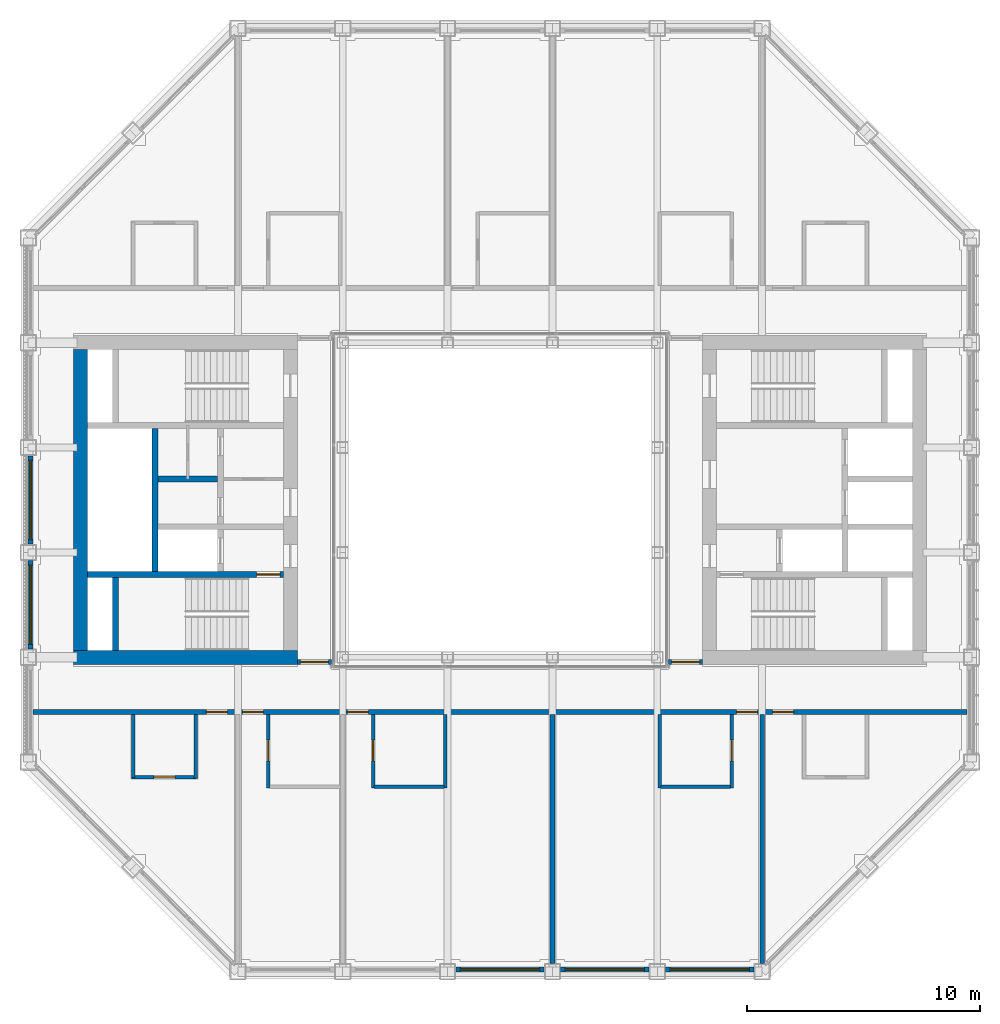
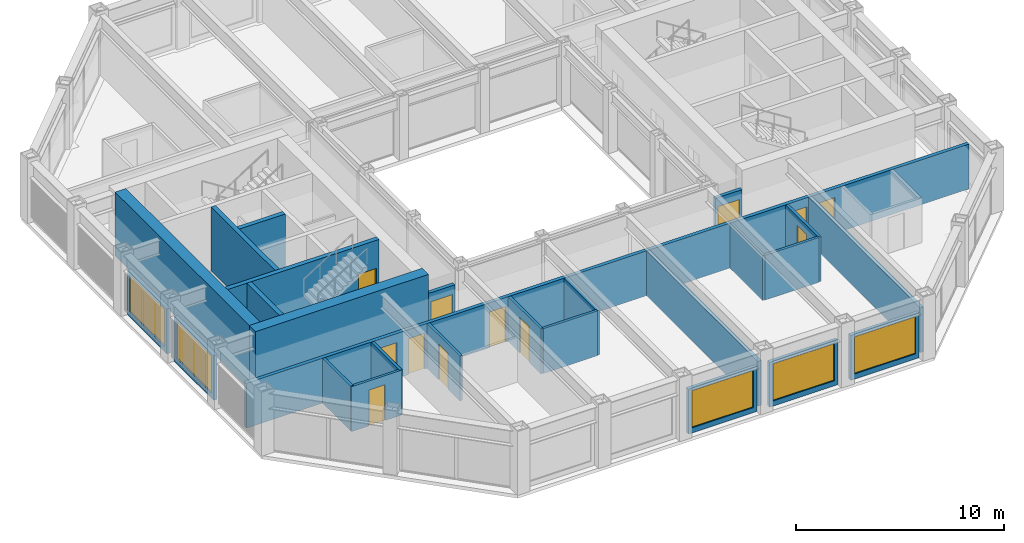
# One storey, part 9 of 16: 26 walls, 12 doors, 5 windows, 17 openings.
"""IFC4 building model written with IfcOpenShell, lengths in metres."""

from ifc_helpers import new_model, si_unit, direction, frame, frame_2d, origin, place, context, subcontext, project, spatial, rectangle, extrude, material, layer, layer_set, type_object, element, fill, save


model = new_model("IFC4")

# Units and contexts
model_context = context("Model", 3, precision=1e-05, world=origin(), true_north=direction((0.0, 1.0)))
body_context = subcontext(model_context, "Body", "Model", "MODEL_VIEW")
ifc_project = project(units=[si_unit("LENGTHUNIT", "METRE"), si_unit("AREAUNIT", "SQUARE_METRE"), si_unit("VOLUMEUNIT", "CUBIC_METRE"), si_unit("PLANEANGLEUNIT", "RADIAN"), si_unit("MASSUNIT", "GRAM", prefix="KILO")], contexts=[model_context])

# Site, building, storey
site_placement = place(None, origin())
site = spatial("IfcSite", under=ifc_project, at=site_placement, CompositionType="ELEMENT")
building_placement = place(site_placement, origin())
building = spatial("IfcBuilding", under=site, at=building_placement, Name="Msasa Ring Tower", CompositionType="ELEMENT")
storey_placement = place(building_placement, frame((0.0, 0.0, 215.800048828125)))
storey = spatial("IfcBuildingStorey", under=building, at=storey_placement, Name="L56", CompositionType="ELEMENT", Elevation=215.800048828125)

# Walls
ifc_material_1 = material(Name="Concrete C60/75", Category="concrete")
ifc_layer_1 = layer(ifc_material_1, 0.60009765625)
ifc_layer_set_1 = layer_set([ifc_layer_1], Name="CW3 CORE WALL 600")
wall_type_1 = type_object("IfcWallType", Name="CW3 CORE WALL 600", PredefinedType="SHEAR", material=ifc_layer_set_1)
wall_1_placement = place(storey_placement, frame((-8.699951171875, -6.75, 0.0), z_axis=(0.0, 0.0, 1.0), x_axis=(-1.0, 0.0, 0.0)))
element("IfcWall", 1, at=wall_1_placement, inside=storey, type_object=wall_type_1, Name="W core wall S L56", PredefinedType="SHEAR", context=body_context, shape_type="SweptSolid", body=[
    extrude(rectangle(XDim=9.60009765625, YDim=0.60009765625, at=frame_2d((4.800048828125, 0.0))), origin(), (0.0, 0.0, 1.0), 3.75),
])
wall_2_placement = place(storey_placement, frame((-18.0, -6.449951171875, 0.0), z_axis=(0.0, 0.0, 1.0), x_axis=(0.0, 1.0, 0.0)))
element("IfcWall", 2, at=wall_2_placement, inside=storey, type_object=wall_type_1, Name="W core wall E L56", PredefinedType="SHEAR", context=body_context, shape_type="SweptSolid", body=[
    extrude(rectangle(XDim=12.89990234375, YDim=0.60009765625, at=frame_2d((6.449951171875, 0.0))), origin(), (0.0, 0.0, 1.0), 3.75),
])

# Wall, opening, door
ifc_material_2 = material(Name="Concrete C60/75", Category="concrete")
ifc_layer_2 = layer(ifc_material_2, 0.25)
ifc_layer_set_2 = layer_set([ifc_layer_2], Name="CW4 CORE INNER WALL 250")
wall_type_2 = type_object("IfcWallType", Name="CW4 CORE INNER WALL 250", PredefinedType="SHEAR", material=ifc_layer_set_2)
wall_3_placement = place(storey_placement, frame((-9.300048828125, -3.199951171875, 0.0), z_axis=(0.0, 0.0, 1.0), x_axis=(-1.0, 0.0, 0.0)))
wall_3 = element("IfcWall", 3, at=wall_3_placement, inside=storey, type_object=wall_type_2, Name="W core wall STAIRA L56", PredefinedType="SHEAR", context=body_context, shape_type="SweptSolid", body=[
    extrude(rectangle(XDim=8.39990234375, YDim=0.25, at=frame_2d((4.199951171875, 0.0))), origin(), (0.0, 0.0, 1.0), 3.75),
])
opening_1_placement = place(wall_3_placement, frame((0.14990234375, 0.0, 0.0)))
opening_1 = element("IfcOpeningElement", 4, at=opening_1_placement, cuts=wall_3, Name="Opening SB-023", PredefinedType="OPENING", context=body_context, shape_type="SweptSolid", body=[
    extrude(rectangle(XDim=1.0, YDim=2.10009765625, at=frame_2d((0.5, 1.050048828125))), frame((0.0, 0.135009765625, 0.0), z_axis=(0.0, -1.0, 0.0), x_axis=(1.0, 0.0, 0.0)), (0.0, 0.0, 1.0), 0.27001953125),
])
ifc_material_3 = material(Name="Timber door leaf in a steel frame", Category="steel")
door_type_1 = type_object("IfcDoorType", Name="D6 STAIR DOOR 1000x2100", OperationType="SINGLE_SWING_LEFT", PredefinedType="DOOR", material=ifc_material_3)
door_1_placement = place(opening_1_placement, origin())
door_1 = element("IfcDoor", 5, at=door_1_placement, inside=storey, type_object=door_type_1, Name="Door L56-WSTA", OperationType="SINGLE_SWING_LEFT", OverallHeight=2.10009765625, OverallWidth=1.0, PredefinedType="DOOR", context=body_context, shape_type="SweptSolid", body=[
    extrude(rectangle(XDim=1.0, YDim=2.10009765625, at=frame_2d((0.5, 1.050048828125))), frame((0.0, 0.02490234375, 0.0), z_axis=(0.0, -1.0, 0.0), x_axis=(1.0, 0.0, 0.0)), (0.0, 0.0, 1.0), 0.050048828125),
])
fill(opening_1, door_1)

# Walls
wall_4_placement = place(storey_placement, frame((-16.5, -6.449951171875, 0.0), z_axis=(0.0, 0.0, 1.0), x_axis=(0.0, 1.0, 0.0)))
element("IfcWall", 6, at=wall_4_placement, inside=storey, type_object=wall_type_2, Name="W core wall RISERA L56", PredefinedType="SHEAR", context=body_context, shape_type="SweptSolid", body=[
    extrude(rectangle(XDim=3.125, YDim=0.25, at=frame_2d((1.5625, 0.0))), origin(), (0.0, 0.0, 1.0), 3.75),
])
wall_5_placement = place(storey_placement, frame((-14.800048828125, -3.074951171875, 0.0), z_axis=(0.0, 0.0, 1.0), x_axis=(0.0, 1.0, 0.0)))
element("IfcWall", 7, at=wall_5_placement, inside=storey, type_object=wall_type_2, Name="W core wall SHAFT L56", PredefinedType="SHEAR", context=body_context, shape_type="SweptSolid", body=[
    extrude(rectangle(XDim=6.14990234375, YDim=0.25, at=frame_2d((3.074951171875, 0.0))), origin(), (0.0, 0.0, 1.0), 3.75),
])
wall_6_placement = place(storey_placement, frame((-12.125, 0.89990234375, 0.0), z_axis=(0.0, 0.0, 1.0), x_axis=(-1.0, 0.0, 0.0)))
element("IfcWall", 8, at=wall_6_placement, inside=storey, type_object=wall_type_2, Name="W core wall LIFT1 L56", PredefinedType="SHEAR", context=body_context, shape_type="SweptSolid", body=[
    extrude(rectangle(XDim=2.550048828125, YDim=0.25, at=frame_2d((1.27490234375, 0.0))), origin(), (0.0, 0.0, 1.0), 3.75),
])

# Wall, opening, window
ifc_material_4 = material(Name="Terracotta rainscreen on blockwork", Category="masonry")
ifc_layer_3 = layer(ifc_material_4, 0.199951171875)
ifc_layer_set_3 = layer_set([ifc_layer_3], Name="FW1 TERRACOTTA-LINED INFILL BAY WALL 200")
wall_type_3 = type_object("IfcWallType", Name="FW1 TERRACOTTA-LINED INFILL BAY WALL 200", PredefinedType="SOLIDWALL", material=ifc_layer_set_3)
wall_7_placement = place(storey_placement, frame((-1.89501953125, -20.14990234375, 0.0), z_axis=(0.0, 0.0, 1.0), x_axis=(1.0, 0.0, 0.0)))
wall_7 = element("IfcWall", 9, at=wall_7_placement, inside=storey, type_object=wall_type_3, Name="Infill bay wall S L56 02", PredefinedType="SOLIDWALL", context=body_context, shape_type="SweptSolid", body=[
    extrude(rectangle(XDim=3.7900390625, YDim=0.199951171875, at=frame_2d((1.89501953125, 0.0))), origin(), (0.0, 0.0, 1.0), 2.62890625),
])
opening_2_placement = place(wall_7_placement, frame((0.195068359375, 0.0, 0.300048828125)))
opening_2 = element("IfcOpeningElement", 10, at=opening_2_placement, cuts=wall_7, Name="Opening WN3", PredefinedType="OPENING", context=body_context, shape_type="SweptSolid", body=[
    extrude(rectangle(XDim=3.39990234375, YDim=2.178955078125, at=frame_2d((1.699951171875, 1.08935546875))), frame((0.0, 0.10986328125, 0.0), z_axis=(0.0, -1.0, 0.0), x_axis=(1.0, 0.0, 0.0)), (0.0, 0.0, 1.0), 0.219970703125),
])
ifc_material_5 = material(Name="Aluminium frame with clear glass", Category="aluminium")
window_type = type_object("IfcWindowType", Name="WN3 SUITE WINDOW 3400x2179", PartitioningType="SINGLE_PANEL", PredefinedType="WINDOW", material=ifc_material_5)
window_1_placement = place(opening_2_placement, origin())
window_1 = element("IfcWindow", 11, at=window_1_placement, inside=storey, type_object=window_type, Name="Window S L56 02", OverallHeight=2.178955078125, OverallWidth=3.39990234375, PartitioningType="SINGLE_PANEL", PredefinedType="WINDOW", context=body_context, shape_type="SweptSolid", body=[
    extrude(rectangle(XDim=3.39990234375, YDim=2.178955078125, at=frame_2d((1.699951171875, 1.08935546875))), frame((0.0, 0.030029296875, 0.0), z_axis=(0.0, -1.0, 0.0), x_axis=(1.0, 0.0, 0.0)), (0.0, 0.0, 1.0), 0.06005859375),
])
fill(opening_2, window_1)

wall_8_placement = place(storey_placement, frame((2.60498046875, -20.14990234375, 0.0), z_axis=(0.0, 0.0, 1.0), x_axis=(1.0, 0.0, 0.0)))
wall_8 = element("IfcWall", 12, at=wall_8_placement, inside=storey, type_object=wall_type_3, Name="Infill bay wall S L56 03", PredefinedType="SOLIDWALL", context=body_context, shape_type="SweptSolid", body=[
    extrude(rectangle(XDim=3.7900390625, YDim=0.199951171875, at=frame_2d((1.89501953125, 0.0))), origin(), (0.0, 0.0, 1.0), 2.62890625),
])
opening_3_placement = place(wall_8_placement, frame((0.195068359375, 0.0, 0.300048828125)))
opening_3 = element("IfcOpeningElement", 13, at=opening_3_placement, cuts=wall_8, Name="Opening WN3", PredefinedType="OPENING", context=body_context, shape_type="SweptSolid", body=[
    extrude(rectangle(XDim=3.39990234375, YDim=2.178955078125, at=frame_2d((1.699951171875, 1.08935546875))), frame((0.0, 0.10986328125, 0.0), z_axis=(0.0, -1.0, 0.0), x_axis=(1.0, 0.0, 0.0)), (0.0, 0.0, 1.0), 0.219970703125),
])
window_2_placement = place(opening_3_placement, origin())
window_2 = element("IfcWindow", 14, at=window_2_placement, inside=storey, type_object=window_type, Name="Window S L56 03", OverallHeight=2.178955078125, OverallWidth=3.39990234375, PartitioningType="SINGLE_PANEL", PredefinedType="WINDOW", context=body_context, shape_type="SweptSolid", body=[
    extrude(rectangle(XDim=3.39990234375, YDim=2.178955078125, at=frame_2d((1.699951171875, 1.08935546875))), frame((0.0, 0.030029296875, 0.0), z_axis=(0.0, -1.0, 0.0), x_axis=(1.0, 0.0, 0.0)), (0.0, 0.0, 1.0), 0.06005859375),
])
fill(opening_3, window_2)

wall_9_placement = place(storey_placement, frame((7.10498046875, -20.14990234375, 0.0), z_axis=(0.0, 0.0, 1.0), x_axis=(1.0, 0.0, 0.0)))
wall_9 = element("IfcWall", 15, at=wall_9_placement, inside=storey, type_object=wall_type_3, Name="Infill bay wall S L56 04", PredefinedType="SOLIDWALL", context=body_context, shape_type="SweptSolid", body=[
    extrude(rectangle(XDim=3.7900390625, YDim=0.199951171875, at=frame_2d((1.89501953125, 0.0))), origin(), (0.0, 0.0, 1.0), 2.62890625),
])
opening_4_placement = place(wall_9_placement, frame((0.195068359375, 0.0, 0.300048828125)))
opening_4 = element("IfcOpeningElement", 16, at=opening_4_placement, cuts=wall_9, Name="Opening WN3", PredefinedType="OPENING", context=body_context, shape_type="SweptSolid", body=[
    extrude(rectangle(XDim=3.39990234375, YDim=2.178955078125, at=frame_2d((1.699951171875, 1.08935546875))), frame((0.0, 0.10986328125, 0.0), z_axis=(0.0, -1.0, 0.0), x_axis=(1.0, 0.0, 0.0)), (0.0, 0.0, 1.0), 0.219970703125),
])
window_3_placement = place(opening_4_placement, origin())
window_3 = element("IfcWindow", 17, at=window_3_placement, inside=storey, type_object=window_type, Name="Window S L56 04", OverallHeight=2.178955078125, OverallWidth=3.39990234375, PartitioningType="SINGLE_PANEL", PredefinedType="WINDOW", context=body_context, shape_type="SweptSolid", body=[
    extrude(rectangle(XDim=3.39990234375, YDim=2.178955078125, at=frame_2d((1.699951171875, 1.08935546875))), frame((0.0, 0.030029296875, 0.0), z_axis=(0.0, -1.0, 0.0), x_axis=(1.0, 0.0, 0.0)), (0.0, 0.0, 1.0), 0.06005859375),
])
fill(opening_4, window_3)

wall_10_placement = place(storey_placement, frame((-20.14990234375, -6.39501953125, 0.0), z_axis=(0.0, 0.0, 1.0), x_axis=(0.0, 1.0, 0.0)))
wall_10 = element("IfcWall", 18, at=wall_10_placement, inside=storey, type_object=wall_type_3, Name="Infill bay wall W L56 22", PredefinedType="SOLIDWALL", context=body_context, shape_type="SweptSolid", body=[
    extrude(rectangle(XDim=3.7900390625, YDim=0.199951171875, at=frame_2d((1.89501953125, 0.0))), origin(), (0.0, 0.0, 1.0), 2.62890625),
])
opening_5_placement = place(wall_10_placement, frame((0.195068359375, 0.0, 0.300048828125)))
opening_5 = element("IfcOpeningElement", 19, at=opening_5_placement, cuts=wall_10, Name="Opening WN3", PredefinedType="OPENING", context=body_context, shape_type="SweptSolid", body=[
    extrude(rectangle(XDim=3.39990234375, YDim=2.178955078125, at=frame_2d((1.699951171875, 1.08935546875))), frame((0.0, 0.10986328125, 0.0), z_axis=(0.0, -1.0, 0.0), x_axis=(1.0, 0.0, 0.0)), (0.0, 0.0, 1.0), 0.219970703125),
])
window_4_placement = place(opening_5_placement, origin())
window_4 = element("IfcWindow", 20, at=window_4_placement, inside=storey, type_object=window_type, Name="Window W L56 22", OverallHeight=2.178955078125, OverallWidth=3.39990234375, PartitioningType="SINGLE_PANEL", PredefinedType="WINDOW", context=body_context, shape_type="SweptSolid", body=[
    extrude(rectangle(XDim=3.39990234375, YDim=2.178955078125, at=frame_2d((1.699951171875, 1.08935546875))), frame((0.0, 0.030029296875, 0.0), z_axis=(0.0, -1.0, 0.0), x_axis=(1.0, 0.0, 0.0)), (0.0, 0.0, 1.0), 0.06005859375),
])
fill(opening_5, window_4)

wall_11_placement = place(storey_placement, frame((-20.14990234375, -1.89501953125, 0.0), z_axis=(0.0, 0.0, 1.0), x_axis=(0.0, 1.0, 0.0)))
wall_11 = element("IfcWall", 21, at=wall_11_placement, inside=storey, type_object=wall_type_3, Name="Infill bay wall W L56 23", PredefinedType="SOLIDWALL", context=body_context, shape_type="SweptSolid", body=[
    extrude(rectangle(XDim=3.7900390625, YDim=0.199951171875, at=frame_2d((1.89501953125, 0.0))), origin(), (0.0, 0.0, 1.0), 2.62890625),
])
opening_6_placement = place(wall_11_placement, frame((0.195068359375, 0.0, 0.300048828125)))
opening_6 = element("IfcOpeningElement", 22, at=opening_6_placement, cuts=wall_11, Name="Opening WN3", PredefinedType="OPENING", context=body_context, shape_type="SweptSolid", body=[
    extrude(rectangle(XDim=3.39990234375, YDim=2.178955078125, at=frame_2d((1.699951171875, 1.08935546875))), frame((0.0, 0.10986328125, 0.0), z_axis=(0.0, -1.0, 0.0), x_axis=(1.0, 0.0, 0.0)), (0.0, 0.0, 1.0), 0.219970703125),
])
window_5_placement = place(opening_6_placement, origin())
window_5 = element("IfcWindow", 23, at=window_5_placement, inside=storey, type_object=window_type, Name="Window W L56 23", OverallHeight=2.178955078125, OverallWidth=3.39990234375, PartitioningType="SINGLE_PANEL", PredefinedType="WINDOW", context=body_context, shape_type="SweptSolid", body=[
    extrude(rectangle(XDim=3.39990234375, YDim=2.178955078125, at=frame_2d((1.699951171875, 1.08935546875))), frame((0.0, 0.030029296875, 0.0), z_axis=(0.0, -1.0, 0.0), x_axis=(1.0, 0.0, 0.0)), (0.0, 0.0, 1.0), 0.06005859375),
])
fill(opening_6, window_5)

# Wall, opening, door
ifc_material_6 = material(Name="Concrete blockwork", Category="masonry")
ifc_layer_4 = layer(ifc_material_6, 0.199951171875)
ifc_layer_set_4 = layer_set([ifc_layer_4], Name="PT1 CORRIDOR WALL 200")
wall_type_4 = type_object("IfcWallType", Name="PT1 CORRIDOR WALL 200", PredefinedType="PARTITIONING", material=ifc_layer_set_4)
wall_12_placement = place(storey_placement, frame((7.22998046875, -6.949951171875, 0.0), z_axis=(0.0, 0.0, 1.0), x_axis=(1.0, 0.0, 0.0)))
wall_12 = element("IfcWall", 24, at=wall_12_placement, inside=storey, type_object=wall_type_4, Name="Corridor wall L56-SDES", PredefinedType="PARTITIONING", context=body_context, shape_type="SweptSolid", body=[
    extrude(rectangle(XDim=1.469970703125, YDim=0.199951171875, at=frame_2d((0.73486328125, 0.0))), origin(), (0.0, 0.0, 1.0), 2.62890625),
])
opening_7_placement = place(wall_12_placement, frame((0.135009765625, 0.0, 0.0)))
opening_7 = element("IfcOpeningElement", 25, at=opening_7_placement, cuts=wall_12, Name="Opening SB-026", PredefinedType="OPENING", context=body_context, shape_type="SweptSolid", body=[
    extrude(rectangle(XDim=1.199951171875, YDim=2.10009765625, at=frame_2d((0.60009765625, 1.050048828125))), frame((0.0, 0.10986328125, 0.0), z_axis=(0.0, -1.0, 0.0), x_axis=(1.0, 0.0, 0.0)), (0.0, 0.0, 1.0), 0.219970703125),
])
ifc_material_7 = material(Name="Timber door leaf in a steel frame", Category="steel")
door_type_2 = type_object("IfcDoorType", Name="D25 CORRIDOR PAIR OF SMOKE DOORS 1200x2100", OperationType="DOUBLE_DOOR_DOUBLE_SWING", PredefinedType="DOOR", material=ifc_material_7)
door_2_placement = place(opening_7_placement, origin())
door_2 = element("IfcDoor", 26, at=door_2_placement, inside=storey, type_object=door_type_2, Name="Door L56-SDES", OperationType="DOUBLE_DOOR_DOUBLE_SWING", OverallHeight=2.10009765625, OverallWidth=1.199951171875, PredefinedType="DOOR", context=body_context, shape_type="SweptSolid", body=[
    extrude(rectangle(XDim=1.199951171875, YDim=2.10009765625, at=frame_2d((0.60009765625, 1.050048828125))), frame((0.0, 0.02490234375, 0.0), z_axis=(0.0, -1.0, 0.0), x_axis=(1.0, 0.0, 0.0)), (0.0, 0.0, 1.0), 0.050048828125),
])
fill(opening_7, door_2)

wall_13_placement = place(storey_placement, frame((-8.699951171875, -6.949951171875, 0.0), z_axis=(0.0, 0.0, 1.0), x_axis=(1.0, 0.0, 0.0)))
wall_13 = element("IfcWall", 27, at=wall_13_placement, inside=storey, type_object=wall_type_4, Name="Corridor wall L56-SDWS", PredefinedType="PARTITIONING", context=body_context, shape_type="SweptSolid", body=[
    extrude(rectangle(XDim=1.469970703125, YDim=0.199951171875, at=frame_2d((0.73486328125, 0.0))), origin(), (0.0, 0.0, 1.0), 2.62890625),
])
opening_8_placement = place(wall_13_placement, frame((0.135009765625, 0.0, 0.0)))
opening_8 = element("IfcOpeningElement", 28, at=opening_8_placement, cuts=wall_13, Name="Opening SB-025", PredefinedType="OPENING", context=body_context, shape_type="SweptSolid", body=[
    extrude(rectangle(XDim=1.199951171875, YDim=2.10009765625, at=frame_2d((0.60009765625, 1.050048828125))), frame((0.0, 0.10986328125, 0.0), z_axis=(0.0, -1.0, 0.0), x_axis=(1.0, 0.0, 0.0)), (0.0, 0.0, 1.0), 0.219970703125),
])
door_3_placement = place(opening_8_placement, origin())
door_3 = element("IfcDoor", 29, at=door_3_placement, inside=storey, type_object=door_type_2, Name="Door L56-SDWS", OperationType="DOUBLE_DOOR_DOUBLE_SWING", OverallHeight=2.10009765625, OverallWidth=1.199951171875, PredefinedType="DOOR", context=body_context, shape_type="SweptSolid", body=[
    extrude(rectangle(XDim=1.199951171875, YDim=2.10009765625, at=frame_2d((0.60009765625, 1.050048828125))), frame((0.0, 0.02490234375, 0.0), z_axis=(0.0, -1.0, 0.0), x_axis=(1.0, 0.0, 0.0)), (0.0, 0.0, 1.0), 0.050048828125),
])
fill(opening_8, door_3)

# Wall, openings, doors
wall_14_placement = place(storey_placement, frame((-20.050048828125, -9.10009765625, 0.0), z_axis=(0.0, 0.0, 1.0), x_axis=(1.0, 0.0, 0.0)))
wall_14 = element("IfcWall", 30, at=wall_14_placement, inside=storey, type_object=wall_type_4, Name="Corridor wall L56-CORRS0", PredefinedType="PARTITIONING", context=body_context, shape_type="SweptSolid", body=[
    extrude(rectangle(XDim=40.10009765625, YDim=0.199951171875, at=frame_2d((20.050048828125, 0.0))), origin(), (0.0, 0.0, 1.0), 2.62890625),
])
opening_9_placement = place(wall_14_placement, frame((9.0, 0.0, 0.0)))
opening_9 = element("IfcOpeningElement", 31, at=opening_9_placement, cuts=wall_14, Name="Opening SB-028", PredefinedType="OPENING", context=body_context, shape_type="SweptSolid", body=[
    extrude(rectangle(XDim=0.89990234375, YDim=2.10009765625, at=frame_2d((0.449951171875, 1.050048828125))), frame((0.0, 0.10986328125, 0.0), z_axis=(0.0, -1.0, 0.0), x_axis=(1.0, 0.0, 0.0)), (0.0, 0.0, 1.0), 0.219970703125),
])
opening_10_placement = place(wall_14_placement, frame((13.5, 0.0, 0.0)))
opening_10 = element("IfcOpeningElement", 32, at=opening_10_placement, cuts=wall_14, Name="Opening SB-029", PredefinedType="OPENING", context=body_context, shape_type="SweptSolid", body=[
    extrude(rectangle(XDim=0.89990234375, YDim=2.10009765625, at=frame_2d((0.449951171875, 1.050048828125))), frame((0.0, 0.10986328125, 0.0), z_axis=(0.0, -1.0, 0.0), x_axis=(1.0, 0.0, 0.0)), (0.0, 0.0, 1.0), 0.219970703125),
])
opening_11_placement = place(wall_14_placement, frame((30.199951171875, 0.0, 0.0)))
opening_11 = element("IfcOpeningElement", 33, at=opening_11_placement, cuts=wall_14, Name="Opening SB-030", PredefinedType="OPENING", context=body_context, shape_type="SweptSolid", body=[
    extrude(rectangle(XDim=0.89990234375, YDim=2.10009765625, at=frame_2d((0.449951171875, 1.050048828125))), frame((0.0, 0.10986328125, 0.0), z_axis=(0.0, -1.0, 0.0), x_axis=(1.0, 0.0, 0.0)), (0.0, 0.0, 1.0), 0.219970703125),
])
opening_12_placement = place(wall_14_placement, frame((31.75, 0.0, 0.0)))
opening_12 = element("IfcOpeningElement", 34, at=opening_12_placement, cuts=wall_14, Name="Opening SB-031", PredefinedType="OPENING", context=body_context, shape_type="SweptSolid", body=[
    extrude(rectangle(XDim=0.89990234375, YDim=2.10009765625, at=frame_2d((0.449951171875, 1.050048828125))), frame((0.0, 0.10986328125, 0.0), z_axis=(0.0, -1.0, 0.0), x_axis=(1.0, 0.0, 0.0)), (0.0, 0.0, 1.0), 0.219970703125),
])
opening_13_placement = place(wall_14_placement, frame((7.449951171875, 0.0, 0.0)))
opening_13 = element("IfcOpeningElement", 35, at=opening_13_placement, cuts=wall_14, Name="Opening SB-027", PredefinedType="OPENING", context=body_context, shape_type="SweptSolid", body=[
    extrude(rectangle(XDim=0.89990234375, YDim=2.10009765625, at=frame_2d((0.449951171875, 1.050048828125))), frame((0.0, 0.10986328125, 0.0), z_axis=(0.0, -1.0, 0.0), x_axis=(1.0, 0.0, 0.0)), (0.0, 0.0, 1.0), 0.219970703125),
])
ifc_material_8 = material(Name="Timber door leaf in a steel frame", Category="steel")
door_type_3 = type_object("IfcDoorType", Name="D1 SINGLE DOOR TO CORRIDOR 900x2100", OperationType="SINGLE_SWING_LEFT", PredefinedType="DOOR", material=ifc_material_8)
door_4_placement = place(opening_9_placement, origin())
door_4 = element("IfcDoor", 36, at=door_4_placement, inside=storey, type_object=door_type_3, Name="Door L56-JS00", OperationType="SINGLE_SWING_LEFT", OverallHeight=2.10009765625, OverallWidth=0.89990234375, PredefinedType="DOOR", context=body_context, shape_type="SweptSolid", body=[
    extrude(rectangle(XDim=0.89990234375, YDim=2.10009765625, at=frame_2d((0.449951171875, 1.050048828125))), frame((0.0, 0.02490234375, 0.0), z_axis=(0.0, -1.0, 0.0), x_axis=(1.0, 0.0, 0.0)), (0.0, 0.0, 1.0), 0.050048828125),
])
fill(opening_9, door_4)
door_5_placement = place(opening_10_placement, origin())
door_5 = element("IfcDoor", 37, at=door_5_placement, inside=storey, type_object=door_type_3, Name="Door L56-JS01", OperationType="SINGLE_SWING_LEFT", OverallHeight=2.10009765625, OverallWidth=0.89990234375, PredefinedType="DOOR", context=body_context, shape_type="SweptSolid", body=[
    extrude(rectangle(XDim=0.89990234375, YDim=2.10009765625, at=frame_2d((0.449951171875, 1.050048828125))), frame((0.0, 0.02490234375, 0.0), z_axis=(0.0, -1.0, 0.0), x_axis=(1.0, 0.0, 0.0)), (0.0, 0.0, 1.0), 0.050048828125),
])
fill(opening_10, door_5)
door_6_placement = place(opening_11_placement, origin())
door_6 = element("IfcDoor", 38, at=door_6_placement, inside=storey, type_object=door_type_3, Name="Door L56-JS02", OperationType="SINGLE_SWING_RIGHT", OverallHeight=2.10009765625, OverallWidth=0.89990234375, PredefinedType="DOOR", context=body_context, shape_type="SweptSolid", body=[
    extrude(rectangle(XDim=0.89990234375, YDim=2.10009765625, at=frame_2d((0.449951171875, 1.050048828125))), frame((0.0, 0.02490234375, 0.0), z_axis=(0.0, -1.0, 0.0), x_axis=(1.0, 0.0, 0.0)), (0.0, 0.0, 1.0), 0.050048828125),
])
fill(opening_11, door_6)
ifc_material_9 = material(Name="Timber door leaf in a steel frame", Category="steel")
door_type_4 = type_object("IfcDoorType", Name="D2 ENTRANCE DOOR 900x2100", OperationType="SINGLE_SWING_LEFT", PredefinedType="DOOR", material=ifc_material_9)
door_7_placement = place(opening_12_placement, origin())
door_7 = element("IfcDoor", 39, at=door_7_placement, inside=storey, type_object=door_type_4, Name="Door L56-CSSE", OperationType="SINGLE_SWING_RIGHT", OverallHeight=2.10009765625, OverallWidth=0.89990234375, PredefinedType="DOOR", context=body_context, shape_type="SweptSolid", body=[
    extrude(rectangle(XDim=0.89990234375, YDim=2.10009765625, at=frame_2d((0.449951171875, 1.050048828125))), frame((0.0, 0.02490234375, 0.0), z_axis=(0.0, -1.0, 0.0), x_axis=(1.0, 0.0, 0.0)), (0.0, 0.0, 1.0), 0.050048828125),
])
fill(opening_12, door_7)
door_8_placement = place(opening_13_placement, origin())
door_8 = element("IfcDoor", 40, at=door_8_placement, inside=storey, type_object=door_type_4, Name="Door L56-CSSW", OperationType="SINGLE_SWING_LEFT", OverallHeight=2.10009765625, OverallWidth=0.89990234375, PredefinedType="DOOR", context=body_context, shape_type="SweptSolid", body=[
    extrude(rectangle(XDim=0.89990234375, YDim=2.10009765625, at=frame_2d((0.449951171875, 1.050048828125))), frame((0.0, 0.02490234375, 0.0), z_axis=(0.0, -1.0, 0.0), x_axis=(1.0, 0.0, 0.0)), (0.0, 0.0, 1.0), 0.050048828125),
])
fill(opening_13, door_8)

# Walls
ifc_material_10 = material(Name="Dense concrete blockwork, plastered both faces", Category="masonry")
ifc_layer_5 = layer(ifc_material_10, 0.25)
ifc_layer_set_5 = layer_set([ifc_layer_5], Name="PT3 APARTMENT SEPARATING WALL 250")
wall_type_5 = type_object("IfcWallType", Name="PT3 APARTMENT SEPARATING WALL 250", PredefinedType="PARTITIONING", material=ifc_layer_set_5)
for number, where, z_axis, x_axis, name in (
    (41, (2.25, -19.89990234375, 0.0), (0.0, 0.0, 1.0), (0.0, 1.0, 0.0), "Party wall L56-PWS+2.25"),
    (42, (11.25, -19.89990234375, 0.0), (0.0, 0.0, 1.0), (0.0, 1.0, 0.0), "Party wall L56-PWS+11.25"),
):
    element("IfcWall", number, at=place(storey_placement, frame(where, z_axis=z_axis, x_axis=x_axis)), inside=storey, type_object=wall_type_5, Name=name, PredefinedType="PARTITIONING", context=body_context, shape_type="SweptSolid", body=[
        extrude(rectangle(XDim=10.699951171875, YDim=0.199951171875, at=frame_2d((5.35009765625, 0.0))), origin(), (0.0, 0.0, 1.0), 2.62890625),
    ])

# Wall, opening, door
ifc_material_11 = material(Name="Moisture-resistant board on steel studs with a concealed cistern and pipe void, tiled", Category="steel")
ifc_layer_6 = layer(ifc_material_11, 0.14990234375)
ifc_layer_set_6 = layer_set([ifc_layer_6], Name="PT4 BATHROOM WET WALL 150")
wall_type_6 = type_object("IfcWallType", Name="PT4 BATHROOM WET WALL 150", PredefinedType="PARTITIONING", material=ifc_layer_set_6)
wall_15_placement = place(storey_placement, frame((-9.949951171875, -12.35009765625, 0.0), z_axis=(0.0, 0.0, 1.0), x_axis=(0.0, 1.0, 0.0)))
wall_15 = element("IfcWall", 43, at=wall_15_placement, inside=storey, type_object=wall_type_6, Name="Partition L56-JS00BX", PredefinedType="PARTITIONING", context=body_context, shape_type="SweptSolid", body=[
    extrude(rectangle(XDim=3.150146484375, YDim=0.14990234375, at=frame_2d((1.5751953125, 0.0))), origin(), (0.0, 0.0, 1.0), 2.62890625),
])
opening_14_placement = place(wall_15_placement, frame((1.14990234375, 0.0, 0.0)))
opening_14 = element("IfcOpeningElement", 44, at=opening_14_placement, cuts=wall_15, Name="Opening SB-032", PredefinedType="OPENING", context=body_context, shape_type="SweptSolid", body=[
    extrude(rectangle(XDim=0.89990234375, YDim=2.10009765625, at=frame_2d((0.449951171875, 1.050048828125))), frame((0.0, 0.0849609375, 0.0), z_axis=(0.0, -1.0, 0.0), x_axis=(1.0, 0.0, 0.0)), (0.0, 0.0, 1.0), 0.169921875),
])
ifc_material_12 = material(Name="Timber door leaf in a steel frame", Category="steel")
door_type_5 = type_object("IfcDoorType", Name="D3 BATHROOM DOOR 900x2100", OperationType="SINGLE_SWING_LEFT", PredefinedType="DOOR", material=ifc_material_12)
door_9_placement = place(opening_14_placement, origin())
door_9 = element("IfcDoor", 45, at=door_9_placement, inside=storey, type_object=door_type_5, Name="Door L56-JS00B", OperationType="SINGLE_SWING_LEFT", OverallHeight=2.10009765625, OverallWidth=0.89990234375, PredefinedType="DOOR", context=body_context, shape_type="SweptSolid", body=[
    extrude(rectangle(XDim=0.89990234375, YDim=2.10009765625, at=frame_2d((0.449951171875, 1.050048828125))), frame((0.0, 0.02490234375, 0.0), z_axis=(0.0, -1.0, 0.0), x_axis=(1.0, 0.0, 0.0)), (0.0, 0.0, 1.0), 0.050048828125),
])
fill(opening_14, door_9)

wall_16_placement = place(storey_placement, frame((-5.449951171875, -12.35009765625, 0.0), z_axis=(0.0, 0.0, 1.0), x_axis=(0.0, 1.0, 0.0)))
wall_16 = element("IfcWall", 46, at=wall_16_placement, inside=storey, type_object=wall_type_6, Name="Partition L56-JS01BX", PredefinedType="PARTITIONING", context=body_context, shape_type="SweptSolid", body=[
    extrude(rectangle(XDim=3.150146484375, YDim=0.14990234375, at=frame_2d((1.5751953125, 0.0))), origin(), (0.0, 0.0, 1.0), 2.62890625),
])
opening_15_placement = place(wall_16_placement, frame((1.14990234375, 0.0, 0.0)))
opening_15 = element("IfcOpeningElement", 47, at=opening_15_placement, cuts=wall_16, Name="Opening SB-033", PredefinedType="OPENING", context=body_context, shape_type="SweptSolid", body=[
    extrude(rectangle(XDim=0.89990234375, YDim=2.10009765625, at=frame_2d((0.449951171875, 1.050048828125))), frame((0.0, 0.0849609375, 0.0), z_axis=(0.0, -1.0, 0.0), x_axis=(1.0, 0.0, 0.0)), (0.0, 0.0, 1.0), 0.169921875),
])
door_10_placement = place(opening_15_placement, origin())
door_10 = element("IfcDoor", 48, at=door_10_placement, inside=storey, type_object=door_type_5, Name="Door L56-JS01B", OperationType="SINGLE_SWING_LEFT", OverallHeight=2.10009765625, OverallWidth=0.89990234375, PredefinedType="DOOR", context=body_context, shape_type="SweptSolid", body=[
    extrude(rectangle(XDim=0.89990234375, YDim=2.10009765625, at=frame_2d((0.449951171875, 1.050048828125))), frame((0.0, 0.02490234375, 0.0), z_axis=(0.0, -1.0, 0.0), x_axis=(1.0, 0.0, 0.0)), (0.0, 0.0, 1.0), 0.050048828125),
])
fill(opening_15, door_10)

# Walls
wall_17_placement = place(storey_placement, frame((-2.35009765625, -12.35009765625, 0.0), z_axis=(0.0, 0.0, 1.0), x_axis=(0.0, 1.0, 0.0)))
element("IfcWall", 49, at=wall_17_placement, inside=storey, type_object=wall_type_6, Name="Partition L56-JS01BF", PredefinedType="PARTITIONING", context=body_context, shape_type="SweptSolid", body=[
    extrude(rectangle(XDim=3.150146484375, YDim=0.14990234375, at=frame_2d((1.5751953125, 0.0))), origin(), (0.0, 0.0, 1.0), 2.62890625),
])
wall_18_placement = place(storey_placement, frame((-5.39990234375, -12.300048828125, 0.0), z_axis=(0.0, 0.0, 1.0), x_axis=(1.0, 0.0, 0.0)))
element("IfcWall", 50, at=wall_18_placement, inside=storey, type_object=wall_type_6, Name="Partition L56-JS01BY", PredefinedType="PARTITIONING", context=body_context, shape_type="SweptSolid", body=[
    extrude(rectangle(XDim=3.0, YDim=0.14990234375, at=frame_2d((1.5, 0.0))), origin(), (0.0, 0.0, 1.0), 2.62890625),
])

# Wall, opening, door
wall_19_placement = place(storey_placement, frame((9.949951171875, -12.35009765625, 0.0), z_axis=(0.0, 0.0, 1.0), x_axis=(0.0, 1.0, 0.0)))
wall_19 = element("IfcWall", 51, at=wall_19_placement, inside=storey, type_object=wall_type_6, Name="Partition L56-JS02BX", PredefinedType="PARTITIONING", context=body_context, shape_type="SweptSolid", body=[
    extrude(rectangle(XDim=3.150146484375, YDim=0.14990234375, at=frame_2d((1.5751953125, 0.0))), origin(), (0.0, 0.0, 1.0), 2.62890625),
])
opening_16_placement = place(wall_19_placement, frame((1.14990234375, 0.0, 0.0)))
opening_16 = element("IfcOpeningElement", 52, at=opening_16_placement, cuts=wall_19, Name="Opening SB-034", PredefinedType="OPENING", context=body_context, shape_type="SweptSolid", body=[
    extrude(rectangle(XDim=0.89990234375, YDim=2.10009765625, at=frame_2d((0.449951171875, 1.050048828125))), frame((0.0, 0.0849609375, 0.0), z_axis=(0.0, -1.0, 0.0), x_axis=(1.0, 0.0, 0.0)), (0.0, 0.0, 1.0), 0.169921875),
])
door_11_placement = place(opening_16_placement, origin())
door_11 = element("IfcDoor", 53, at=door_11_placement, inside=storey, type_object=door_type_5, Name="Door L56-JS02B", OperationType="SINGLE_SWING_LEFT", OverallHeight=2.10009765625, OverallWidth=0.89990234375, PredefinedType="DOOR", context=body_context, shape_type="SweptSolid", body=[
    extrude(rectangle(XDim=0.89990234375, YDim=2.10009765625, at=frame_2d((0.449951171875, 1.050048828125))), frame((0.0, 0.02490234375, 0.0), z_axis=(0.0, -1.0, 0.0), x_axis=(1.0, 0.0, 0.0)), (0.0, 0.0, 1.0), 0.050048828125),
])
fill(opening_16, door_11)

# Walls
wall_20_placement = place(storey_placement, frame((6.85009765625, -12.35009765625, 0.0), z_axis=(0.0, 0.0, 1.0), x_axis=(0.0, 1.0, 0.0)))
element("IfcWall", 54, at=wall_20_placement, inside=storey, type_object=wall_type_6, Name="Partition L56-JS02BF", PredefinedType="PARTITIONING", context=body_context, shape_type="SweptSolid", body=[
    extrude(rectangle(XDim=3.150146484375, YDim=0.14990234375, at=frame_2d((1.5751953125, 0.0))), origin(), (0.0, 0.0, 1.0), 2.62890625),
])
wall_21_placement = place(storey_placement, frame((6.89990234375, -12.300048828125, 0.0), z_axis=(0.0, 0.0, 1.0), x_axis=(1.0, 0.0, 0.0)))
element("IfcWall", 55, at=wall_21_placement, inside=storey, type_object=wall_type_6, Name="Partition L56-JS02BY", PredefinedType="PARTITIONING", context=body_context, shape_type="SweptSolid", body=[
    extrude(rectangle(XDim=3.0, YDim=0.14990234375, at=frame_2d((1.5, 0.0))), origin(), (0.0, 0.0, 1.0), 2.62890625),
])
wall_22_placement = place(storey_placement, frame((-13.050048828125, -11.949951171875, 0.0), z_axis=(0.0, 0.0, 1.0), x_axis=(0.0, 1.0, 0.0)))
element("IfcWall", 56, at=wall_22_placement, inside=storey, type_object=wall_type_6, Name="Partition L56-CSSWBX", PredefinedType="PARTITIONING", context=body_context, shape_type="SweptSolid", body=[
    extrude(rectangle(XDim=2.75, YDim=0.14990234375, at=frame_2d((1.375, 0.0))), origin(), (0.0, 0.0, 1.0), 2.62890625),
])

# Wall, opening, door
wall_23_placement = place(storey_placement, frame((-15.824951171875, -11.89990234375, 0.0), z_axis=(0.0, 0.0, 1.0), x_axis=(1.0, 0.0, 0.0)))
wall_23 = element("IfcWall", 57, at=wall_23_placement, inside=storey, type_object=wall_type_6, Name="Partition L56-CSSWBY", PredefinedType="PARTITIONING", context=body_context, shape_type="SweptSolid", body=[
    extrude(rectangle(XDim=2.77490234375, YDim=0.14990234375, at=frame_2d((1.387451171875, 0.0))), origin(), (0.0, 0.0, 1.0), 2.62890625),
])
opening_17_placement = place(wall_23_placement, frame((0.97509765625, 0.0, 0.0)))
opening_17 = element("IfcOpeningElement", 58, at=opening_17_placement, cuts=wall_23, Name="Opening SB-035", PredefinedType="OPENING", context=body_context, shape_type="SweptSolid", body=[
    extrude(rectangle(XDim=0.89990234375, YDim=2.10009765625, at=frame_2d((0.449951171875, 1.050048828125))), frame((0.0, 0.0849609375, 0.0), z_axis=(0.0, -1.0, 0.0), x_axis=(1.0, 0.0, 0.0)), (0.0, 0.0, 1.0), 0.169921875),
])
door_12_placement = place(opening_17_placement, origin())
door_12 = element("IfcDoor", 59, at=door_12_placement, inside=storey, type_object=door_type_5, Name="Door L56-CSSWB1", OperationType="SINGLE_SWING_RIGHT", OverallHeight=2.10009765625, OverallWidth=0.89990234375, PredefinedType="DOOR", context=body_context, shape_type="SweptSolid", body=[
    extrude(rectangle(XDim=0.89990234375, YDim=2.10009765625, at=frame_2d((0.449951171875, 1.050048828125))), frame((0.0, 0.02490234375, 0.0), z_axis=(0.0, -1.0, 0.0), x_axis=(1.0, 0.0, 0.0)), (0.0, 0.0, 1.0), 0.050048828125),
])
fill(opening_17, door_12)

# Wall
wall_24_placement = place(storey_placement, frame((-15.75, -11.89990234375, 0.0), z_axis=(0.0, 0.0, 1.0), x_axis=(0.0, 1.0, 0.0)))
element("IfcWall", 60, at=wall_24_placement, inside=storey, type_object=wall_type_6, Name="Partition L56-CSSWBE", PredefinedType="PARTITIONING", context=body_context, shape_type="SweptSolid", body=[
    extrude(rectangle(XDim=2.699951171875, YDim=0.14990234375, at=frame_2d((1.35009765625, 0.0))), origin(), (0.0, 0.0, 1.0), 2.62890625),
])

save(model, "model.ifc")
